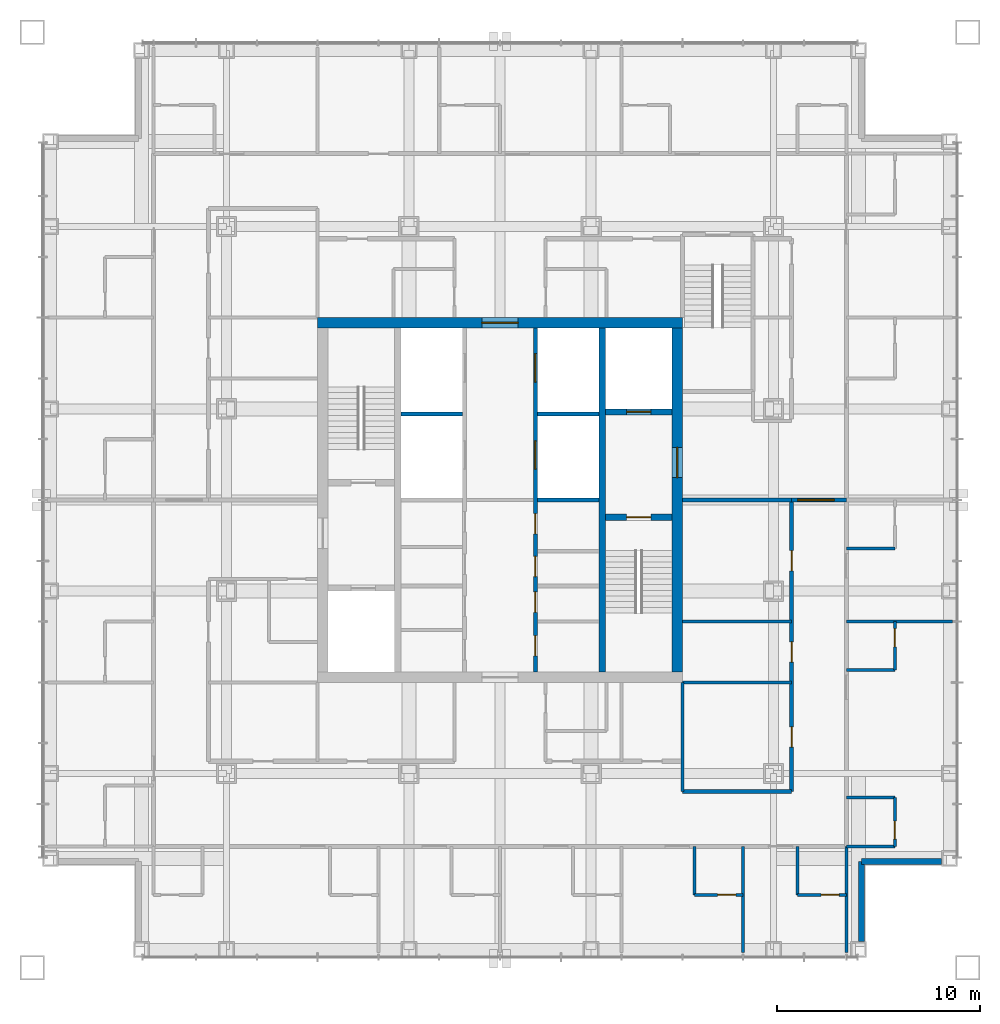
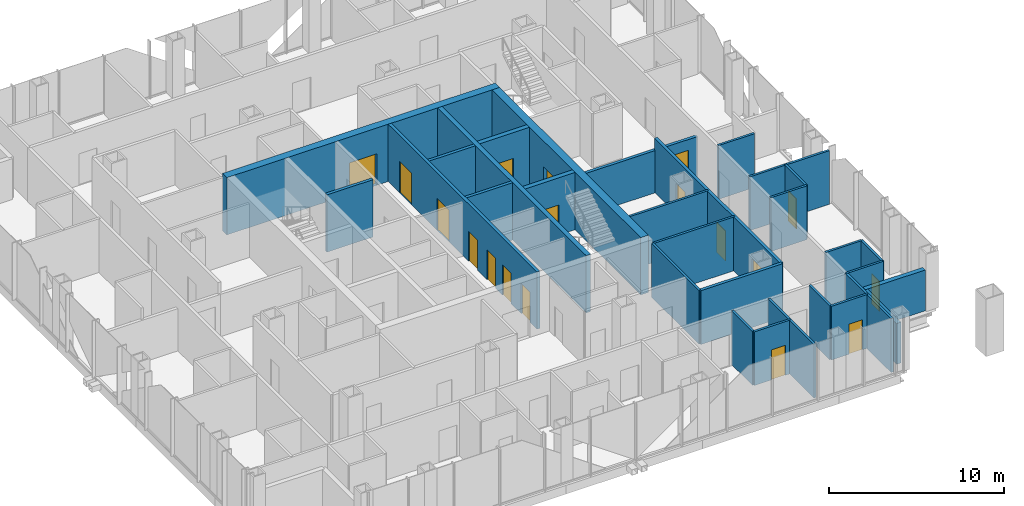
# One storey, part 14 of 17: 31 walls, 18 doors, 18 openings.
"""IFC4 building model written with IfcOpenShell, lengths in metres."""

import ifcopenshell
import ifcopenshell.guid

model = None  # the IFC model being written
_history = None  # IfcOwnerHistory: only IFC2X3 demands one
_inside = {}  # id of a spatial element -> (the spatial element, [elements in it])
_under = {}  # id of a project, library or spatial element -> (it, [spatial elements below it])
_declared = {}  # id of a project -> (the project, [libraries it declares])
_typed = {}  # id of a type object -> (the type object, [elements of that type])
_made_of = {}  # id of a material, layer set ... -> (it, [elements and type objects made of it])


def new_model(schema):
    """Start an empty IFC model of exactly this schema.

    Asked for "IFC4X3", IfcOpenShell would pick the latest addendum, in which some entities
    have other attributes; the version numbers below select the first issue.
    IFC2X3 requires an IfcOwnerHistory on every rooted entity: one is made here for all.
    """
    global model, _history
    if schema == "IFC4X3":
        model = ifcopenshell.file(schema_version=(4, 3, 0, 0))
    else:
        model = ifcopenshell.file(schema=schema)
    _inside.clear()
    _under.clear()
    _declared.clear()
    _typed.clear()
    _made_of.clear()
    _history = None
    if model.schema == "IFC2X3":
        org = make("IfcOrganization", Name="unknown")
        user = make(
            "IfcPersonAndOrganization",
            ThePerson=make("IfcPerson", FamilyName="unknown"),
            TheOrganization=org,
        )
        app = make(
            "IfcApplication",
            ApplicationDeveloper=org,
            Version="unknown",
            ApplicationFullName="unknown",
            ApplicationIdentifier="unknown",
        )
        _history = make(
            "IfcOwnerHistory",
            OwningUser=user,
            OwningApplication=app,
            ChangeAction="ADDED",
            CreationDate=0,
        )
    return model


def make(cls, **values):
    """One entity of the class cls with the attributes given. An attribute that is None is left unset."""
    return model.create_entity(
        cls, **{name: value for name, value in values.items() if value is not None}
    )


def rooted(cls, **values):
    """An entity with a GlobalId (a new one), such as an element, a storey or a relation."""
    return make(cls, GlobalId=ifcopenshell.guid.new(), OwnerHistory=_history, **values)


def si_unit(unit_type, name, prefix=None):
    """IfcSIUnit, for example si_unit("LENGTHUNIT", "METRE", prefix="MILLI")."""
    return make("IfcSIUnit", UnitType=unit_type, Prefix=prefix, Name=name)


def assignment(units):
    """IfcUnitAssignment: the units of a project."""
    return None if units is None else make("IfcUnitAssignment", Units=units)


def point(xyz):
    """IfcCartesianPoint."""
    return None if xyz is None else make("IfcCartesianPoint", Coordinates=xyz)


def direction(xyz):
    """IfcDirection."""
    return None if xyz is None else make("IfcDirection", DirectionRatios=xyz)


def frame(location, z_axis=None, x_axis=None):
    """IfcAxis2Placement3D, a coordinate frame: its origin and axes. An axis left out is left unset."""
    return make(
        "IfcAxis2Placement3D",
        Location=point(location),
        Axis=direction(z_axis),
        RefDirection=direction(x_axis),
    )


def frame_2d(location, x_axis=None):
    """IfcAxis2Placement2D, a coordinate frame in the plane: its origin and x axis."""
    return make(
        "IfcAxis2Placement2D", Location=point(location), RefDirection=direction(x_axis)
    )


def origin():
    """The frame at (0, 0, 0) with its axes left unset."""
    return frame((0.0, 0.0, 0.0))


def place(relative_to, where):
    """IfcLocalPlacement: puts the frame where relative to a parent placement (None: the world)."""
    return make(
        "IfcLocalPlacement", PlacementRelTo=relative_to, RelativePlacement=where
    )


def context(
    kind, dimensions, precision=None, world=None, true_north=None, identifier=None
):
    """IfcGeometricRepresentationContext, for example the 3D "Model" context."""
    return make(
        "IfcGeometricRepresentationContext",
        ContextIdentifier=identifier,
        ContextType=kind,
        CoordinateSpaceDimension=dimensions,
        Precision=precision,
        WorldCoordinateSystem=world,
        TrueNorth=true_north,
    )


def subcontext(parent, identifier, kind, view, scale=None):
    """IfcGeometricRepresentationSubContext, for example "Body" below "Model"."""
    return make(
        "IfcGeometricRepresentationSubContext",
        ContextIdentifier=identifier,
        ContextType=kind,
        ParentContext=parent,
        TargetScale=scale,
        TargetView=view,
    )


def project(units=None, contexts=None):
    """IfcProject with its units and contexts."""
    return rooted(
        "IfcProject",
        Name="project",
        RepresentationContexts=contexts,
        UnitsInContext=assignment(units),
    )


def spatial(cls, under=None, at=None, **own):
    """A site, building, storey or space (cls), placed at a placement, below another one or the project."""
    s = rooted(cls, ObjectPlacement=at, **own)
    if under is not None:
        _under.setdefault(under.id(), (under, []))[1].append(s)
    return s


def profile(cls, at=None, kind="AREA", **sizes):
    """A parametric profile (cls). Its sizes go by their IFC names, for example OverallWidth=200.0."""
    return make(cls, ProfileType=kind, Position=at, **sizes)


def rectangle(**sizes):
    """IfcRectangleProfileDef."""
    return profile("IfcRectangleProfileDef", **sizes)


def extrude(swept, where, along, depth):
    """IfcExtrudedAreaSolid: the profile swept, set in the frame where, extruded along a direction by depth."""
    return make(
        "IfcExtrudedAreaSolid",
        SweptArea=swept,
        Position=where,
        ExtrudedDirection=direction(along),
        Depth=depth,
    )


def shape(context_of_items, identifier, shape_type, items):
    """IfcShapeRepresentation: the items that make up one representation, for example the "Body"."""
    return make(
        "IfcShapeRepresentation",
        ContextOfItems=context_of_items,
        RepresentationIdentifier=identifier,
        RepresentationType=shape_type,
        Items=items,
    )


def material(Name=None, Category=None):
    """IfcMaterial."""
    return make("IfcMaterial", Name=Name, Category=Category)


def layer(
    of_material, thickness, ventilated=None, Name=None, Category=None, Priority=None
):
    """IfcMaterialLayer: one layer of a wall or slab, of a material (None: an air gap)."""
    return make(
        "IfcMaterialLayer",
        Material=of_material,
        LayerThickness=thickness,
        IsVentilated=ventilated,
        Name=Name,
        Category=Category,
        Priority=Priority,
    )


def layer_set(layers, Name=None):
    """IfcMaterialLayerSet."""
    return make("IfcMaterialLayerSet", MaterialLayers=layers, LayerSetName=Name)


def made_of(thing, what):
    """Note that an element or type object is made of a material, layer set ...; save() writes the relation."""
    if what is not None:
        _made_of.setdefault(what.id(), (what, []))[1].append(thing)
    return thing


def type_object(cls, material=None, **own):
    """A type object (cls), such as IfcWallType, which elements share."""
    return made_of(rooted(cls, **own), material)


def element(
    cls,
    number,
    at=None,
    inside=None,
    cuts=None,
    type_object=None,
    material=None,
    context=None,
    identifier="Body",
    shape_type=None,
    held_by="IfcProductDefinitionShape",
    body=None,
    shapes=None,
    **own,
):
    """One element of the class cls, such as IfcWall. Its Tag is "e" and its number.

    at: its placement. inside: the storey or other place that contains it. cuts: it is an
    opening in that element (IfcRelVoidsElement). A single representation is given by context,
    identifier, shape_type and body (its items); several are given by shapes. held_by: the class
    of the entity that holds the representations. save() writes the other relations.
    """
    e = rooted(cls, Tag="e%d" % number, ObjectPlacement=at, **own)
    if body is not None:
        shapes = [shape(context, identifier, shape_type, body)]
    if shapes is not None:
        e.Representation = make(held_by, Representations=shapes)
    if inside is not None:
        _inside.setdefault(inside.id(), (inside, []))[1].append(e)
    if cuts is not None:
        rooted(
            "IfcRelVoidsElement", RelatingBuildingElement=cuts, RelatedOpeningElement=e
        )
    if type_object is not None:
        _typed.setdefault(type_object.id(), (type_object, []))[1].append(e)
    return made_of(e, material)


def fill(opening, filler):
    """IfcRelFillsElement: the door or window that sits in an opening."""
    return rooted(
        "IfcRelFillsElement",
        RelatingOpeningElement=opening,
        RelatedBuildingElement=filler,
    )


def aggregate(whole, parts):
    """IfcRelAggregates: a whole, such as a stair, and the parts it consists of."""
    return rooted("IfcRelAggregates", RelatingObject=whole, RelatedObjects=parts)


def save(model, path):
    """Write the relations noted so far, then the file.

    IfcRelAggregates (storeys below a building ...), IfcRelContainedInSpatialStructure (elements
    in a storey), IfcRelDefinesByType, IfcRelAssociatesMaterial and IfcRelDeclares: one each for
    every whole, place, type object, material and project.
    """
    for whole, parts in _under.values():
        aggregate(whole, parts)
    for where, things in _inside.values():
        rooted(
            "IfcRelContainedInSpatialStructure",
            RelatedElements=things,
            RelatingStructure=where,
        )
    for kind, things in _typed.values():
        rooted("IfcRelDefinesByType", RelatedObjects=things, RelatingType=kind)
    for what, things in _made_of.values():
        rooted("IfcRelAssociatesMaterial", RelatedObjects=things, RelatingMaterial=what)
    for by, libraries in _declared.values():
        rooted("IfcRelDeclares", RelatingContext=by, RelatedDefinitions=libraries)
    model.write(path)


model = new_model("IFC4")

# Units and contexts
model_context = context("Model", 3, precision=1e-05, world=origin(), true_north=direction((0.0, 1.0)))
body_context = subcontext(model_context, "Body", "Model", "MODEL_VIEW")
ifc_project = project(units=[si_unit("LENGTHUNIT", "METRE"), si_unit("AREAUNIT", "SQUARE_METRE"), si_unit("VOLUMEUNIT", "CUBIC_METRE"), si_unit("PLANEANGLEUNIT", "RADIAN"), si_unit("MASSUNIT", "GRAM", prefix="KILO")], contexts=[model_context])

# Site, building, storey
site_placement = place(None, origin())
site = spatial("IfcSite", under=ifc_project, at=site_placement, CompositionType="ELEMENT")
building_placement = place(site_placement, origin())
building = spatial("IfcBuilding", under=site, at=building_placement, Name="Malebo Sky Hospital", CompositionType="ELEMENT")
storey_placement = place(building_placement, frame((0.0, 0.0, 193.0)))
storey = spatial("IfcBuildingStorey", under=building, at=storey_placement, Name="L46", CompositionType="ELEMENT", Elevation=193.0)

# Wall, openings, doors
ifc_material_1 = material(Name="Concrete C80/95", Category="concrete")
ifc_layer_1 = layer(ifc_material_1, 0.199951171875)
ifc_layer_set_1 = layer_set([ifc_layer_1], Name="CORE INNER WALL 200")
wall_type_1 = type_object("IfcWallType", Name="CORE INNER WALL 200", PredefinedType="SHEAR", material=ifc_layer_set_1)
wall_1_placement = place(storey_placement, frame((61.75, 53.5, 0.0), z_axis=(0.0, 0.0, 1.0), x_axis=(0.0, 1.0, 0.0)))
wall_1 = element("IfcWall", 1, at=wall_1_placement, inside=storey, type_object=wall_type_1, Name="Core wall LE L46", PredefinedType="SHEAR", context=body_context, shape_type="SweptSolid", body=[
    extrude(rectangle(XDim=17.0, YDim=0.199951171875, at=frame_2d((8.5, 0.0))), origin(), (0.0, 0.0, 1.0), 4.0),
])
opening_1_placement = place(wall_1_placement, frame((0.8076171875, 0.0, 0.0)))
opening_1 = element("IfcOpeningElement", 2, at=opening_1_placement, cuts=wall_1, Name="Opening D17", PredefinedType="OPENING", context=body_context, shape_type="SweptSolid", body=[
    extrude(rectangle(XDim=1.0, YDim=2.10009765625, at=frame_2d((0.5, 1.050048828125))), frame((0.0, 0.10986328125, 0.0), z_axis=(0.0, -1.0, 0.0), x_axis=(1.0, 0.0, 0.0)), (0.0, 0.0, 1.0), 0.219970703125),
])
opening_2_placement = place(wall_1_placement, frame((2.95751953125, 0.0, 0.0)))
opening_2 = element("IfcOpeningElement", 3, at=opening_2_placement, cuts=wall_1, Name="Opening D17", PredefinedType="OPENING", context=body_context, shape_type="SweptSolid", body=[
    extrude(rectangle(XDim=1.0, YDim=2.10009765625, at=frame_2d((0.5, 1.050048828125))), frame((0.0, 0.10986328125, 0.0), z_axis=(0.0, -1.0, 0.0), x_axis=(1.0, 0.0, 0.0)), (0.0, 0.0, 1.0), 0.219970703125),
])
opening_3_placement = place(wall_1_placement, frame((4.722412109375, 0.0, 0.0)))
opening_3 = element("IfcOpeningElement", 4, at=opening_3_placement, cuts=wall_1, Name="Opening D17", PredefinedType="OPENING", context=body_context, shape_type="SweptSolid", body=[
    extrude(rectangle(XDim=1.0, YDim=2.10009765625, at=frame_2d((0.5, 1.050048828125))), frame((0.0, 0.10986328125, 0.0), z_axis=(0.0, -1.0, 0.0), x_axis=(1.0, 0.0, 0.0)), (0.0, 0.0, 1.0), 0.219970703125),
])
opening_4_placement = place(wall_1_placement, frame((6.822509765625, 0.0, 0.0)))
opening_4 = element("IfcOpeningElement", 5, at=opening_4_placement, cuts=wall_1, Name="Opening D17", PredefinedType="OPENING", context=body_context, shape_type="SweptSolid", body=[
    extrude(rectangle(XDim=1.0, YDim=2.10009765625, at=frame_2d((0.5, 1.050048828125))), frame((0.0, 0.10986328125, 0.0), z_axis=(0.0, -1.0, 0.0), x_axis=(1.0, 0.0, 0.0)), (0.0, 0.0, 1.0), 0.219970703125),
])
opening_5_placement = place(wall_1_placement, frame((10.02490234375, 0.0, 0.0)))
opening_5 = element("IfcOpeningElement", 6, at=opening_5_placement, cuts=wall_1, Name="Opening LD1", PredefinedType="OPENING", context=body_context, shape_type="SweptSolid", body=[
    extrude(rectangle(XDim=1.39990234375, YDim=2.199951171875, at=frame_2d((0.699951171875, 1.10009765625))), frame((0.0, 0.10986328125, 0.0), z_axis=(0.0, -1.0, 0.0), x_axis=(1.0, 0.0, 0.0)), (0.0, 0.0, 1.0), 0.219970703125),
])
opening_6_placement = place(wall_1_placement, frame((14.324951171875, 0.0, 0.0)))
opening_6 = element("IfcOpeningElement", 7, at=opening_6_placement, cuts=wall_1, Name="Opening LD1", PredefinedType="OPENING", context=body_context, shape_type="SweptSolid", body=[
    extrude(rectangle(XDim=1.39990234375, YDim=2.199951171875, at=frame_2d((0.699951171875, 1.10009765625))), frame((0.0, 0.10986328125, 0.0), z_axis=(0.0, -1.0, 0.0), x_axis=(1.0, 0.0, 0.0)), (0.0, 0.0, 1.0), 0.219970703125),
])
ifc_material_2 = material(Name="Hardwood-faced door leaf in steel frame", Category="steel")
door_type_1 = type_object("IfcDoorType", Name="FIRE DOOR 1000", OperationType="SINGLE_SWING_LEFT", PredefinedType="DOOR", material=ifc_material_2)
door_1_placement = place(opening_1_placement, origin())
door_1 = element("IfcDoor", 8, at=door_1_placement, inside=storey, type_object=door_type_1, Name="Equipment store door", OperationType="SINGLE_SWING_RIGHT", OverallHeight=2.10009765625, OverallWidth=1.0, PredefinedType="DOOR", context=body_context, shape_type="SweptSolid", body=[
    extrude(rectangle(XDim=1.0, YDim=2.10009765625, at=frame_2d((0.5, 1.050048828125))), frame((0.0, 0.02490234375, 0.0), z_axis=(0.0, -1.0, 0.0), x_axis=(1.0, 0.0, 0.0)), (0.0, 0.0, 1.0), 0.050048828125),
])
fill(opening_1, door_1)
door_2_placement = place(opening_2_placement, origin())
door_2 = element("IfcDoor", 9, at=door_2_placement, inside=storey, type_object=door_type_1, Name="Linen store door", OperationType="SINGLE_SWING_RIGHT", OverallHeight=2.10009765625, OverallWidth=1.0, PredefinedType="DOOR", context=body_context, shape_type="SweptSolid", body=[
    extrude(rectangle(XDim=1.0, YDim=2.10009765625, at=frame_2d((0.5, 1.050048828125))), frame((0.0, 0.02490234375, 0.0), z_axis=(0.0, -1.0, 0.0), x_axis=(1.0, 0.0, 0.0)), (0.0, 0.0, 1.0), 0.050048828125),
])
fill(opening_2, door_2)
door_3_placement = place(opening_3_placement, origin())
door_3 = element("IfcDoor", 10, at=door_3_placement, inside=storey, type_object=door_type_1, Name="Supplies store door", OperationType="SINGLE_SWING_RIGHT", OverallHeight=2.10009765625, OverallWidth=1.0, PredefinedType="DOOR", context=body_context, shape_type="SweptSolid", body=[
    extrude(rectangle(XDim=1.0, YDim=2.10009765625, at=frame_2d((0.5, 1.050048828125))), frame((0.0, 0.02490234375, 0.0), z_axis=(0.0, -1.0, 0.0), x_axis=(1.0, 0.0, 0.0)), (0.0, 0.0, 1.0), 0.050048828125),
])
fill(opening_3, door_3)
door_4_placement = place(opening_4_placement, origin())
door_4 = element("IfcDoor", 11, at=door_4_placement, inside=storey, type_object=door_type_1, Name="Mattress store door", OperationType="SINGLE_SWING_RIGHT", OverallHeight=2.10009765625, OverallWidth=1.0, PredefinedType="DOOR", context=body_context, shape_type="SweptSolid", body=[
    extrude(rectangle(XDim=1.0, YDim=2.10009765625, at=frame_2d((0.5, 1.050048828125))), frame((0.0, 0.02490234375, 0.0), z_axis=(0.0, -1.0, 0.0), x_axis=(1.0, 0.0, 0.0)), (0.0, 0.0, 1.0), 0.050048828125),
])
fill(opening_4, door_4)
ifc_material_3 = material(Name="Stainless steel sliding landing door", Category="steel")
door_type_2 = type_object("IfcDoorType", Name="LIFT LANDING DOOR 1400", OperationType="SLIDING_TO_LEFT", PredefinedType="DOOR", material=ifc_material_3)
door_5_placement = place(opening_5_placement, origin())
door_5 = element("IfcDoor", 12, at=door_5_placement, inside=storey, type_object=door_type_2, Name="Lift E3 landing door", OperationType="SLIDING_TO_LEFT", OverallHeight=2.199951171875, OverallWidth=1.39990234375, PredefinedType="DOOR", context=body_context, shape_type="SweptSolid", body=[
    extrude(rectangle(XDim=1.39990234375, YDim=2.199951171875, at=frame_2d((0.699951171875, 1.10009765625))), frame((0.0, 0.02490234375, 0.0), z_axis=(0.0, -1.0, 0.0), x_axis=(1.0, 0.0, 0.0)), (0.0, 0.0, 1.0), 0.050048828125),
])
fill(opening_5, door_5)
door_6_placement = place(opening_6_placement, origin())
door_6 = element("IfcDoor", 13, at=door_6_placement, inside=storey, type_object=door_type_2, Name="Lift E4 landing door", OperationType="SLIDING_TO_LEFT", OverallHeight=2.199951171875, OverallWidth=1.39990234375, PredefinedType="DOOR", context=body_context, shape_type="SweptSolid", body=[
    extrude(rectangle(XDim=1.39990234375, YDim=2.199951171875, at=frame_2d((0.699951171875, 1.10009765625))), frame((0.0, 0.02490234375, 0.0), z_axis=(0.0, -1.0, 0.0), x_axis=(1.0, 0.0, 0.0)), (0.0, 0.0, 1.0), 0.050048828125),
])
fill(opening_6, door_6)

# Walls
for number, where, z_axis, x_axis, name in (
    (14, (61.85009765625, 62.0, 0.0), (0.0, 0.0, 1.0), (1.0, 0.0, 0.0), "Core wall SE1 L46"),
    (15, (55.10009765625, 66.25, 0.0), (0.0, 0.0, 1.0), (1.0, 0.0, 0.0), "Core wall SW2 L46"),
    (16, (61.85009765625, 66.25, 0.0), (0.0, 0.0, 1.0), (1.0, 0.0, 0.0), "Core wall SE2 L46"),
):
    element("IfcWall", number, at=place(storey_placement, frame(where, z_axis=z_axis, x_axis=x_axis)), inside=storey, type_object=wall_type_1, Name=name, PredefinedType="SHEAR", context=body_context, shape_type="SweptSolid", body=[
        extrude(rectangle(XDim=3.0498046875, YDim=0.199951171875, at=frame_2d((1.52490234375, 0.0))), origin(), (0.0, 0.0, 1.0), 4.0),
    ])
ifc_layer_2 = layer(ifc_material_1, 0.300048828125)
ifc_layer_set_2 = layer_set([ifc_layer_2], Name="CORE INNER WALL 300")
wall_type_2 = type_object("IfcWallType", Name="CORE INNER WALL 300", PredefinedType="SHEAR", material=ifc_layer_set_2)
wall_2_placement = place(storey_placement, frame((65.050048828125, 53.5, 0.0), z_axis=(0.0, 0.0, 1.0), x_axis=(0.0, 1.0, 0.0)))
element("IfcWall", 17, at=wall_2_placement, inside=storey, type_object=wall_type_2, Name="Core wall XE L46", PredefinedType="SHEAR", context=body_context, shape_type="SweptSolid", body=[
    extrude(rectangle(XDim=17.0, YDim=0.300048828125, at=frame_2d((8.5, 0.0))), origin(), (0.0, 0.0, 1.0), 4.0),
])

# Wall, opening, door
wall_3_placement = place(storey_placement, frame((65.199951171875, 61.14990234375, 0.0), z_axis=(0.0, 0.0, 1.0), x_axis=(1.0, 0.0, 0.0)))
wall_3 = element("IfcWall", 18, at=wall_3_placement, inside=storey, type_object=wall_type_2, Name="Core wall E1 L46", PredefinedType="SHEAR", context=body_context, shape_type="SweptSolid", body=[
    extrude(rectangle(XDim=3.300048828125, YDim=0.300048828125, at=frame_2d((1.64990234375, 0.0))), origin(), (0.0, 0.0, 1.0), 4.0),
])
opening_7_placement = place(wall_3_placement, frame((1.050048828125, 0.0, 0.0)))
opening_7 = element("IfcOpeningElement", 19, at=opening_7_placement, cuts=wall_3, Name="Opening D08", PredefinedType="OPENING", context=body_context, shape_type="SweptSolid", body=[
    extrude(rectangle(XDim=1.199951171875, YDim=2.10009765625, at=frame_2d((0.60009765625, 1.050048828125))), frame((0.0, 0.159912109375, 0.0), z_axis=(0.0, -1.0, 0.0), x_axis=(1.0, 0.0, 0.0)), (0.0, 0.0, 1.0), 0.320068359375),
])
door_type_3 = type_object("IfcDoorType", Name="STAIR DOOR 1200", OperationType="SINGLE_SWING_LEFT", PredefinedType="DOOR", material=ifc_material_2)
door_7_placement = place(opening_7_placement, origin())
door_7 = element("IfcDoor", 20, at=door_7_placement, inside=storey, type_object=door_type_3, Name="Stair S2 door", OperationType="SINGLE_SWING_LEFT", OverallHeight=2.10009765625, OverallWidth=1.199951171875, PredefinedType="DOOR", context=body_context, shape_type="SweptSolid", body=[
    extrude(rectangle(XDim=1.199951171875, YDim=2.10009765625, at=frame_2d((0.60009765625, 1.050048828125))), frame((0.0, 0.02490234375, 0.0), z_axis=(0.0, -1.0, 0.0), x_axis=(1.0, 0.0, 0.0)), (0.0, 0.0, 1.0), 0.050048828125),
])
fill(opening_7, door_7)

wall_4_placement = place(storey_placement, frame((65.199951171875, 66.35009765625, 0.0), z_axis=(0.0, 0.0, 1.0), x_axis=(1.0, 0.0, 0.0)))
wall_4 = element("IfcWall", 21, at=wall_4_placement, inside=storey, type_object=wall_type_2, Name="Core wall E2 L46", PredefinedType="SHEAR", context=body_context, shape_type="SweptSolid", body=[
    extrude(rectangle(XDim=3.300048828125, YDim=0.300048828125, at=frame_2d((1.64990234375, 0.0))), origin(), (0.0, 0.0, 1.0), 4.0),
])
opening_8_placement = place(wall_4_placement, frame((1.050048828125, 0.0, 0.0)))
opening_8 = element("IfcOpeningElement", 22, at=opening_8_placement, cuts=wall_4, Name="Opening LD2", PredefinedType="OPENING", context=body_context, shape_type="SweptSolid", body=[
    extrude(rectangle(XDim=1.199951171875, YDim=2.199951171875, at=frame_2d((0.60009765625, 1.10009765625))), frame((0.0, 0.159912109375, 0.0), z_axis=(0.0, -1.0, 0.0), x_axis=(1.0, 0.0, 0.0)), (0.0, 0.0, 1.0), 0.320068359375),
])
door_type_4 = type_object("IfcDoorType", Name="FIRE-FIGHTING LIFT LANDING DOOR 1200", OperationType="SLIDING_TO_LEFT", PredefinedType="DOOR", material=ifc_material_3)
door_8_placement = place(opening_8_placement, origin())
door_8 = element("IfcDoor", 23, at=door_8_placement, inside=storey, type_object=door_type_4, Name="Lift FL2 landing door", OperationType="SLIDING_TO_LEFT", OverallHeight=2.199951171875, OverallWidth=1.199951171875, PredefinedType="DOOR", context=body_context, shape_type="SweptSolid", body=[
    extrude(rectangle(XDim=1.199951171875, YDim=2.199951171875, at=frame_2d((0.60009765625, 1.10009765625))), frame((0.0, 0.02490234375, 0.0), z_axis=(0.0, -1.0, 0.0), x_axis=(1.0, 0.0, 0.0)), (0.0, 0.0, 1.0), 0.050048828125),
])
fill(opening_8, door_8)

ifc_layer_3 = layer(ifc_material_1, 0.5)
ifc_layer_set_3 = layer_set([ifc_layer_3], Name="CORE WALL 500")
wall_type_3 = type_object("IfcWallType", Name="CORE WALL 500", PredefinedType="SHEAR", material=ifc_layer_set_3)
wall_5_placement = place(storey_placement, frame((51.0, 70.75, 0.0), z_axis=(0.0, 0.0, 1.0), x_axis=(1.0, 0.0, 0.0)))
wall_5 = element("IfcWall", 24, at=wall_5_placement, inside=storey, type_object=wall_type_3, Name="Core wall N L46", PredefinedType="SHEAR", context=body_context, shape_type="SweptSolid", body=[
    extrude(rectangle(XDim=18.0, YDim=0.5, at=frame_2d((9.0, 0.0))), origin(), (0.0, 0.0, 1.0), 4.0),
])
opening_9_placement = place(wall_5_placement, frame((8.10009765625, 0.0, 0.0)))
opening_9 = element("IfcOpeningElement", 25, at=opening_9_placement, cuts=wall_5, Name="Opening D06", PredefinedType="OPENING", context=body_context, shape_type="SweptSolid", body=[
    extrude(rectangle(XDim=1.800048828125, YDim=2.199951171875, at=frame_2d((0.89990234375, 1.10009765625))), frame((0.0, 0.260009765625, 0.0), z_axis=(0.0, -1.0, 0.0), x_axis=(1.0, 0.0, 0.0)), (0.0, 0.0, 1.0), 0.52001953125),
])
door_type_5 = type_object("IfcDoorType", Name="LOBBY DOOR PAIR 1800", OperationType="DOUBLE_DOOR_SINGLE_SWING", PredefinedType="DOOR", material=ifc_material_2)
door_9_placement = place(opening_9_placement, origin())
door_9 = element("IfcDoor", 26, at=door_9_placement, inside=storey, type_object=door_type_5, Name="Lift lobby door north", OperationType="DOUBLE_DOOR_SINGLE_SWING", OverallHeight=2.199951171875, OverallWidth=1.800048828125, PredefinedType="DOOR", context=body_context, shape_type="SweptSolid", body=[
    extrude(rectangle(XDim=1.800048828125, YDim=2.199951171875, at=frame_2d((0.89990234375, 1.10009765625))), frame((0.0, 0.02490234375, 0.0), z_axis=(0.0, -1.0, 0.0), x_axis=(1.0, 0.0, 0.0)), (0.0, 0.0, 1.0), 0.050048828125),
])
fill(opening_9, door_9)

wall_6_placement = place(storey_placement, frame((68.75, 53.5, 0.0), z_axis=(0.0, 0.0, 1.0), x_axis=(0.0, 1.0, 0.0)))
wall_6 = element("IfcWall", 27, at=wall_6_placement, inside=storey, type_object=wall_type_3, Name="Core wall E L46", PredefinedType="SHEAR", context=body_context, shape_type="SweptSolid", body=[
    extrude(rectangle(XDim=17.0, YDim=0.5, at=frame_2d((8.5, 0.0))), origin(), (0.0, 0.0, 1.0), 4.0),
])
opening_10_placement = place(wall_6_placement, frame((9.60009765625, 0.0, 0.0)))
opening_10 = element("IfcOpeningElement", 28, at=opening_10_placement, cuts=wall_6, Name="Opening D07", PredefinedType="OPENING", context=body_context, shape_type="SweptSolid", body=[
    extrude(rectangle(XDim=1.5, YDim=2.199951171875, at=frame_2d((0.75, 1.10009765625))), frame((0.0, 0.260009765625, 0.0), z_axis=(0.0, -1.0, 0.0), x_axis=(1.0, 0.0, 0.0)), (0.0, 0.0, 1.0), 0.52001953125),
])
door_type_6 = type_object("IfcDoorType", Name="FIRE-FIGHTING LOBBY DOOR PAIR 1500", OperationType="DOUBLE_DOOR_SINGLE_SWING", PredefinedType="DOOR", material=ifc_material_2)
door_10_placement = place(opening_10_placement, origin())
door_10 = element("IfcDoor", 29, at=door_10_placement, inside=storey, type_object=door_type_6, Name="Fire-fighting lobby door east", OperationType="DOUBLE_DOOR_SINGLE_SWING", OverallHeight=2.199951171875, OverallWidth=1.5, PredefinedType="DOOR", context=body_context, shape_type="SweptSolid", body=[
    extrude(rectangle(XDim=1.5, YDim=2.199951171875, at=frame_2d((0.75, 1.10009765625))), frame((0.0, 0.02490234375, 0.0), z_axis=(0.0, -1.0, 0.0), x_axis=(1.0, 0.0, 0.0)), (0.0, 0.0, 1.0), 0.050048828125),
])
fill(opening_10, door_10)

# Wall
ifc_material_4 = material(Name="Gypsum board on steel studs", Category="steel")
ifc_layer_4 = layer(ifc_material_4, 0.199951171875)
ifc_layer_set_4 = layer_set([ifc_layer_4], Name="CORRIDOR WALL 200")
wall_type_4 = type_object("IfcWallType", Name="CORRIDOR WALL 200", PredefinedType="PARTITIONING", material=ifc_layer_set_4)
wall_7_placement = place(storey_placement, frame((74.39990234375, 47.60009765625, 0.0), z_axis=(0.0, 0.0, 1.0), x_axis=(-1.0, 0.0, 0.0)))
element("IfcWall", 30, at=wall_7_placement, inside=storey, type_object=wall_type_4, Name="Corridor Wall 200 SCIK", PredefinedType="PARTITIONING", context=body_context, shape_type="SweptSolid", body=[
    extrude(rectangle(XDim=5.39990234375, YDim=0.199951171875, at=frame_2d((2.699951171875, 0.0))), origin(), (0.0, 0.0, 1.0), 3.75),
])

# Wall, openings, doors
wall_8_placement = place(storey_placement, frame((74.39990234375, 62.0, 0.0), z_axis=(0.0, 0.0, 1.0), x_axis=(0.0, -1.0, 0.0)))
wall_8 = element("IfcWall", 31, at=wall_8_placement, inside=storey, type_object=wall_type_4, Name="Corridor Wall 200 ECI2", PredefinedType="PARTITIONING", context=body_context, shape_type="SweptSolid", body=[
    extrude(rectangle(XDim=14.39990234375, YDim=0.199951171875, at=frame_2d((7.199951171875, 0.0))), origin(), (0.0, 0.0, 1.0), 3.75),
])
opening_11_placement = place(wall_8_placement, frame((2.5, 0.0, 0.0)))
opening_11 = element("IfcOpeningElement", 32, at=opening_11_placement, cuts=wall_8, Name="Opening D03", PredefinedType="OPENING", context=body_context, shape_type="SweptSolid", body=[
    extrude(rectangle(XDim=1.0, YDim=2.10009765625, at=frame_2d((0.5, 1.050048828125))), frame((0.0, 0.10986328125, 0.0), z_axis=(0.0, -1.0, 0.0), x_axis=(1.0, 0.0, 0.0)), (0.0, 0.0, 1.0), 0.219970703125),
])
opening_12_placement = place(wall_8_placement, frame((7.0, 0.0, 0.0)))
opening_12 = element("IfcOpeningElement", 33, at=opening_12_placement, cuts=wall_8, Name="Opening D03", PredefinedType="OPENING", context=body_context, shape_type="SweptSolid", body=[
    extrude(rectangle(XDim=1.0, YDim=2.10009765625, at=frame_2d((0.5, 1.050048828125))), frame((0.0, 0.10986328125, 0.0), z_axis=(0.0, -1.0, 0.0), x_axis=(1.0, 0.0, 0.0)), (0.0, 0.0, 1.0), 0.219970703125),
])
opening_13_placement = place(wall_8_placement, frame((11.199951171875, 0.0, 0.0)))
opening_13 = element("IfcOpeningElement", 34, at=opening_13_placement, cuts=wall_8, Name="Opening D03", PredefinedType="OPENING", context=body_context, shape_type="SweptSolid", body=[
    extrude(rectangle(XDim=1.0, YDim=2.10009765625, at=frame_2d((0.5, 1.050048828125))), frame((0.0, 0.10986328125, 0.0), z_axis=(0.0, -1.0, 0.0), x_axis=(1.0, 0.0, 0.0)), (0.0, 0.0, 1.0), 0.219970703125),
])
door_type_7 = type_object("IfcDoorType", Name="ROOM DOOR 1000", OperationType="SINGLE_SWING_LEFT", PredefinedType="DOOR", material=ifc_material_2)
door_11_placement = place(opening_11_placement, origin())
door_11 = element("IfcDoor", 35, at=door_11_placement, inside=storey, type_object=door_type_7, Name="Treatment room door", OperationType="SINGLE_SWING_LEFT", OverallHeight=2.10009765625, OverallWidth=1.0, PredefinedType="DOOR", context=body_context, shape_type="SweptSolid", body=[
    extrude(rectangle(XDim=1.0, YDim=2.10009765625, at=frame_2d((0.5, 1.050048828125))), frame((0.0, 0.02490234375, 0.0), z_axis=(0.0, -1.0, 0.0), x_axis=(1.0, 0.0, 0.0)), (0.0, 0.0, 1.0), 0.050048828125),
])
fill(opening_11, door_11)
door_12_placement = place(opening_12_placement, origin())
door_12 = element("IfcDoor", 36, at=door_12_placement, inside=storey, type_object=door_type_7, Name="Medication room door", OperationType="SINGLE_SWING_LEFT", OverallHeight=2.10009765625, OverallWidth=1.0, PredefinedType="DOOR", context=body_context, shape_type="SweptSolid", body=[
    extrude(rectangle(XDim=1.0, YDim=2.10009765625, at=frame_2d((0.5, 1.050048828125))), frame((0.0, 0.02490234375, 0.0), z_axis=(0.0, -1.0, 0.0), x_axis=(1.0, 0.0, 0.0)), (0.0, 0.0, 1.0), 0.050048828125),
])
fill(opening_12, door_12)
door_13_placement = place(opening_13_placement, origin())
door_13 = element("IfcDoor", 37, at=door_13_placement, inside=storey, type_object=door_type_7, Name="Ward pantry door", OperationType="SINGLE_SWING_RIGHT", OverallHeight=2.10009765625, OverallWidth=1.0, PredefinedType="DOOR", context=body_context, shape_type="SweptSolid", body=[
    extrude(rectangle(XDim=1.0, YDim=2.10009765625, at=frame_2d((0.5, 1.050048828125))), frame((0.0, 0.02490234375, 0.0), z_axis=(0.0, -1.0, 0.0), x_axis=(1.0, 0.0, 0.0)), (0.0, 0.0, 1.0), 0.050048828125),
])
fill(opening_13, door_13)

# Walls
ifc_material_5 = material(Name="Anodised aluminium rainscreen on steel framing", Category="steel")
ifc_layer_5 = layer(ifc_material_5, 0.300048828125)
ifc_layer_set_5 = layer_set([ifc_layer_5], Name="NOTCH RAINSCREEN WALL 300")
wall_type_5 = type_object("IfcWallType", Name="NOTCH RAINSCREEN WALL 300", PredefinedType="ELEMENTEDWALL", material=ifc_layer_set_5)
for number, where, z_axis, x_axis, name in (
    (38, (81.800048828125, 44.14990234375, 0.0), (0.0, 0.0, 1.0), (-1.0, 0.0, 0.0), "Notch rainscreen wall E1 L46"),
    (39, (77.85009765625, 44.14990234375, 0.0), (0.0, 0.0, 1.0), (0.0, -1.0, 0.0), "Notch rainscreen wall E2 L46"),
):
    element("IfcWall", number, at=place(storey_placement, frame(where, z_axis=z_axis, x_axis=x_axis)), inside=storey, type_object=wall_type_5, Name=name, PredefinedType="ELEMENTEDWALL", context=body_context, shape_type="SweptSolid", body=[
        extrude(rectangle(XDim=3.949951171875, YDim=0.300048828125, at=frame_2d((1.97509765625, 0.0))), origin(), (0.0, 0.0, 1.0), 2.85009765625),
    ])
ifc_layer_6 = layer(ifc_material_4, 0.14990234375)
ifc_layer_set_6 = layer_set([ifc_layer_6], Name="PARTITION 150")
wall_type_6 = type_object("IfcWallType", Name="PARTITION 150", PredefinedType="PARTITIONING", material=ifc_layer_set_6)
for number, where, z_axis, x_axis, name in (
    (40, (72.0, 44.89990234375, 0.0), (0.0, 0.0, 1.0), (0.0, -1.0, 0.0), "Partition 150 SP-12.0"),
    (41, (77.10009765625, 44.89990234375, 0.0), (0.0, 0.0, 1.0), (0.0, -1.0, 0.0), "Partition 150 SP0"),
):
    element("IfcWall", number, at=place(storey_placement, frame(where, z_axis=z_axis, x_axis=x_axis)), inside=storey, type_object=wall_type_6, Name=name, PredefinedType="PARTITIONING", context=body_context, shape_type="SweptSolid", body=[
        extrude(rectangle(XDim=5.25, YDim=0.14990234375, at=frame_2d((2.625, 0.0))), origin(), (0.0, 0.0, 1.0), 3.75),
    ])

# Wall, opening, door
wall_9_placement = place(storey_placement, frame((77.10009765625, 42.5, 0.0), z_axis=(0.0, 0.0, 1.0), x_axis=(-1.0, 0.0, 0.0)))
wall_9 = element("IfcWall", 42, at=wall_9_placement, inside=storey, type_object=wall_type_6, Name="Partition 150 SE0F", PredefinedType="PARTITIONING", context=body_context, shape_type="SweptSolid", body=[
    extrude(rectangle(XDim=2.400146484375, YDim=0.14990234375, at=frame_2d((1.2001953125, 0.0))), origin(), (0.0, 0.0, 1.0), 3.75),
])
opening_14_placement = place(wall_9_placement, frame((0.35009765625, 0.0, 0.0)))
opening_14 = element("IfcOpeningElement", 43, at=opening_14_placement, cuts=wall_9, Name="Opening D02", PredefinedType="OPENING", context=body_context, shape_type="SweptSolid", body=[
    extrude(rectangle(XDim=0.89990234375, YDim=2.10009765625, at=frame_2d((0.449951171875, 1.050048828125))), frame((0.0, 0.0849609375, 0.0), z_axis=(0.0, -1.0, 0.0), x_axis=(1.0, 0.0, 0.0)), (0.0, 0.0, 1.0), 0.169921875),
])
door_type_8 = type_object("IfcDoorType", Name="EN-SUITE DOOR 900", OperationType="SINGLE_SWING_LEFT", PredefinedType="DOOR", material=ifc_material_2)
door_14_placement = place(opening_14_placement, origin())
door_14 = element("IfcDoor", 44, at=door_14_placement, inside=storey, type_object=door_type_8, Name="En-suite door", OperationType="SINGLE_SWING_LEFT", OverallHeight=2.10009765625, OverallWidth=0.89990234375, PredefinedType="DOOR", context=body_context, shape_type="SweptSolid", body=[
    extrude(rectangle(XDim=0.89990234375, YDim=2.10009765625, at=frame_2d((0.449951171875, 1.050048828125))), frame((0.0, 0.02490234375, 0.0), z_axis=(0.0, -1.0, 0.0), x_axis=(1.0, 0.0, 0.0)), (0.0, 0.0, 1.0), 0.050048828125),
])
fill(opening_14, door_14)

# Wall
wall_10_placement = place(storey_placement, frame((74.699951171875, 44.89990234375, 0.0), z_axis=(0.0, 0.0, 1.0), x_axis=(0.0, -1.0, 0.0)))
element("IfcWall", 45, at=wall_10_placement, inside=storey, type_object=wall_type_6, Name="Partition 150 SE0S", PredefinedType="PARTITIONING", context=body_context, shape_type="SweptSolid", body=[
    extrude(rectangle(XDim=2.39990234375, YDim=0.14990234375, at=frame_2d((1.199951171875, 0.0))), origin(), (0.0, 0.0, 1.0), 3.75),
])

# Wall, opening, door
wall_11_placement = place(storey_placement, frame((72.0, 42.5, 0.0), z_axis=(0.0, 0.0, 1.0), x_axis=(-1.0, 0.0, 0.0)))
wall_11 = element("IfcWall", 46, at=wall_11_placement, inside=storey, type_object=wall_type_6, Name="Partition 150 SE1F", PredefinedType="PARTITIONING", context=body_context, shape_type="SweptSolid", body=[
    extrude(rectangle(XDim=2.39990234375, YDim=0.14990234375, at=frame_2d((1.199951171875, 0.0))), origin(), (0.0, 0.0, 1.0), 3.75),
])
opening_15_placement = place(wall_11_placement, frame((0.35009765625, 0.0, 0.0)))
opening_15 = element("IfcOpeningElement", 47, at=opening_15_placement, cuts=wall_11, Name="Opening D02", PredefinedType="OPENING", context=body_context, shape_type="SweptSolid", body=[
    extrude(rectangle(XDim=0.89990234375, YDim=2.10009765625, at=frame_2d((0.449951171875, 1.050048828125))), frame((0.0, 0.0849609375, 0.0), z_axis=(0.0, -1.0, 0.0), x_axis=(1.0, 0.0, 0.0)), (0.0, 0.0, 1.0), 0.169921875),
])
door_15_placement = place(opening_15_placement, origin())
door_15 = element("IfcDoor", 48, at=door_15_placement, inside=storey, type_object=door_type_8, Name="En-suite door", OperationType="SINGLE_SWING_LEFT", OverallHeight=2.10009765625, OverallWidth=0.89990234375, PredefinedType="DOOR", context=body_context, shape_type="SweptSolid", body=[
    extrude(rectangle(XDim=0.89990234375, YDim=2.10009765625, at=frame_2d((0.449951171875, 1.050048828125))), frame((0.0, 0.02490234375, 0.0), z_axis=(0.0, -1.0, 0.0), x_axis=(1.0, 0.0, 0.0)), (0.0, 0.0, 1.0), 0.050048828125),
])
fill(opening_15, door_15)

# Walls
wall_12_placement = place(storey_placement, frame((69.60009765625, 44.89990234375, 0.0), z_axis=(0.0, 0.0, 1.0), x_axis=(0.0, -1.0, 0.0)))
element("IfcWall", 49, at=wall_12_placement, inside=storey, type_object=wall_type_6, Name="Partition 150 SE1S", PredefinedType="PARTITIONING", context=body_context, shape_type="SweptSolid", body=[
    extrude(rectangle(XDim=2.39990234375, YDim=0.14990234375, at=frame_2d((1.199951171875, 0.0))), origin(), (0.0, 0.0, 1.0), 3.75),
])
wall_13_placement = place(storey_placement, frame((69.0, 53.0, 0.0), z_axis=(0.0, 0.0, 1.0), x_axis=(0.0, -1.0, 0.0)))
element("IfcWall", 50, at=wall_13_placement, inside=storey, type_object=wall_type_6, Name="Partition 150 SSP0", PredefinedType="PARTITIONING", context=body_context, shape_type="SweptSolid", body=[
    extrude(rectangle(XDim=5.39990234375, YDim=0.14990234375, at=frame_2d((2.699951171875, 0.0))), origin(), (0.0, 0.0, 1.0), 3.75),
])
wall_14_placement = place(storey_placement, frame((77.10009765625, 56.0, 0.0), z_axis=(0.0, 0.0, 1.0), x_axis=(1.0, 0.0, 0.0)))
element("IfcWall", 51, at=wall_14_placement, inside=storey, type_object=wall_type_6, Name="Partition 150 EP+6.0", PredefinedType="PARTITIONING", context=body_context, shape_type="SweptSolid", body=[
    extrude(rectangle(XDim=5.25, YDim=0.14990234375, at=frame_2d((2.625, 0.0))), origin(), (0.0, 0.0, 1.0), 3.75),
])
wall_15_placement = place(storey_placement, frame((77.10009765625, 59.60009765625, 0.0), z_axis=(0.0, 0.0, 1.0), x_axis=(1.0, 0.0, 0.0)))
element("IfcWall", 52, at=wall_15_placement, inside=storey, type_object=wall_type_6, Name="Partition 150 EE2S", PredefinedType="PARTITIONING", context=body_context, shape_type="SweptSolid", body=[
    extrude(rectangle(XDim=2.39990234375, YDim=0.14990234375, at=frame_2d((1.199951171875, 0.0))), origin(), (0.0, 0.0, 1.0), 3.75),
])

# Wall, opening, door
wall_16_placement = place(storey_placement, frame((79.5, 56.0, 0.0), z_axis=(0.0, 0.0, 1.0), x_axis=(0.0, -1.0, 0.0)))
wall_16 = element("IfcWall", 53, at=wall_16_placement, inside=storey, type_object=wall_type_6, Name="Partition 150 EE3F", PredefinedType="PARTITIONING", context=body_context, shape_type="SweptSolid", body=[
    extrude(rectangle(XDim=2.39990234375, YDim=0.14990234375, at=frame_2d((1.199951171875, 0.0))), origin(), (0.0, 0.0, 1.0), 3.75),
])
opening_16_placement = place(wall_16_placement, frame((0.35009765625, 0.0, 0.0)))
opening_16 = element("IfcOpeningElement", 54, at=opening_16_placement, cuts=wall_16, Name="Opening D02", PredefinedType="OPENING", context=body_context, shape_type="SweptSolid", body=[
    extrude(rectangle(XDim=0.89990234375, YDim=2.10009765625, at=frame_2d((0.449951171875, 1.050048828125))), frame((0.0, 0.0849609375, 0.0), z_axis=(0.0, -1.0, 0.0), x_axis=(1.0, 0.0, 0.0)), (0.0, 0.0, 1.0), 0.169921875),
])
door_16_placement = place(opening_16_placement, origin())
door_16 = element("IfcDoor", 55, at=door_16_placement, inside=storey, type_object=door_type_8, Name="En-suite door", OperationType="SINGLE_SWING_LEFT", OverallHeight=2.10009765625, OverallWidth=0.89990234375, PredefinedType="DOOR", context=body_context, shape_type="SweptSolid", body=[
    extrude(rectangle(XDim=0.89990234375, YDim=2.10009765625, at=frame_2d((0.449951171875, 1.050048828125))), frame((0.0, 0.02490234375, 0.0), z_axis=(0.0, -1.0, 0.0), x_axis=(1.0, 0.0, 0.0)), (0.0, 0.0, 1.0), 0.050048828125),
])
fill(opening_16, door_16)

# Wall
wall_17_placement = place(storey_placement, frame((77.10009765625, 53.60009765625, 0.0), z_axis=(0.0, 0.0, 1.0), x_axis=(1.0, 0.0, 0.0)))
element("IfcWall", 56, at=wall_17_placement, inside=storey, type_object=wall_type_6, Name="Partition 150 EE3S", PredefinedType="PARTITIONING", context=body_context, shape_type="SweptSolid", body=[
    extrude(rectangle(XDim=2.39990234375, YDim=0.14990234375, at=frame_2d((1.199951171875, 0.0))), origin(), (0.0, 0.0, 1.0), 3.75),
])

# Wall, opening, door
wall_18_placement = place(storey_placement, frame((79.5, 47.300048828125, 0.0), z_axis=(0.0, 0.0, 1.0), x_axis=(0.0, -1.0, 0.0)))
wall_18 = element("IfcWall", 57, at=wall_18_placement, inside=storey, type_object=wall_type_6, Name="Partition 150 EG3F", PredefinedType="PARTITIONING", context=body_context, shape_type="SweptSolid", body=[
    extrude(rectangle(XDim=2.400146484375, YDim=0.14990234375, at=frame_2d((1.2001953125, 0.0))), origin(), (0.0, 0.0, 1.0), 3.75),
])
opening_17_placement = place(wall_18_placement, frame((1.14990234375, 0.0, 0.0)))
opening_17 = element("IfcOpeningElement", 58, at=opening_17_placement, cuts=wall_18, Name="Opening D02", PredefinedType="OPENING", context=body_context, shape_type="SweptSolid", body=[
    extrude(rectangle(XDim=0.89990234375, YDim=2.10009765625, at=frame_2d((0.449951171875, 1.050048828125))), frame((0.0, 0.0849609375, 0.0), z_axis=(0.0, -1.0, 0.0), x_axis=(1.0, 0.0, 0.0)), (0.0, 0.0, 1.0), 0.169921875),
])
door_17_placement = place(opening_17_placement, origin())
door_17 = element("IfcDoor", 59, at=door_17_placement, inside=storey, type_object=door_type_8, Name="En-suite door", OperationType="SINGLE_SWING_RIGHT", OverallHeight=2.10009765625, OverallWidth=0.89990234375, PredefinedType="DOOR", context=body_context, shape_type="SweptSolid", body=[
    extrude(rectangle(XDim=0.89990234375, YDim=2.10009765625, at=frame_2d((0.449951171875, 1.050048828125))), frame((0.0, 0.02490234375, 0.0), z_axis=(0.0, -1.0, 0.0), x_axis=(1.0, 0.0, 0.0)), (0.0, 0.0, 1.0), 0.050048828125),
])
fill(opening_17, door_17)

# Walls
for number, where, z_axis, x_axis, name in (
    (60, (77.10009765625, 47.300048828125, 0.0), (0.0, 0.0, 1.0), (1.0, 0.0, 0.0), "Partition 150 EG3S"),
    (61, (77.10009765625, 44.89990234375, 0.0), (0.0, 0.0, 1.0), (1.0, 0.0, 0.0), "Partition 150 EEZ"),
):
    element("IfcWall", number, at=place(storey_placement, frame(where, z_axis=z_axis, x_axis=x_axis)), inside=storey, type_object=wall_type_6, Name=name, PredefinedType="PARTITIONING", context=body_context, shape_type="SweptSolid", body=[
        extrude(rectangle(XDim=2.39990234375, YDim=0.14990234375, at=frame_2d((1.199951171875, 0.0))), origin(), (0.0, 0.0, 1.0), 3.75),
    ])
for number, where, z_axis, x_axis, name in (
    (62, (69.0, 56.0, 0.0), (0.0, 0.0, 1.0), (1.0, 0.0, 0.0), "Partition 150 ESP+6.0"),
    (63, (69.0, 53.0, 0.0), (0.0, 0.0, 1.0), (1.0, 0.0, 0.0), "Partition 150 ESP+9.0"),
):
    element("IfcWall", number, at=place(storey_placement, frame(where, z_axis=z_axis, x_axis=x_axis)), inside=storey, type_object=wall_type_6, Name=name, PredefinedType="PARTITIONING", context=body_context, shape_type="SweptSolid", body=[
        extrude(rectangle(XDim=5.39990234375, YDim=0.14990234375, at=frame_2d((2.699951171875, 0.0))), origin(), (0.0, 0.0, 1.0), 3.75),
    ])
ifc_material_6 = material(Name="Concrete blockwork", Category="masonry")
ifc_layer_7 = layer(ifc_material_6, 0.199951171875)
ifc_layer_set_7 = layer_set([ifc_layer_7], Name="SMOKE BARRIER WALL 200")
wall_type_7 = type_object("IfcWallType", Name="SMOKE BARRIER WALL 200", PredefinedType="SOLIDWALL", material=ifc_layer_set_7)
wall_19_placement = place(storey_placement, frame((69.0, 62.0, 0.0), z_axis=(0.0, 0.0, 1.0), x_axis=(1.0, 0.0, 0.0)))
element("IfcWall", 64, at=wall_19_placement, inside=storey, type_object=wall_type_7, Name="Smoke Barrier Wall 200 ESPB", PredefinedType="SOLIDWALL", context=body_context, shape_type="SweptSolid", body=[
    extrude(rectangle(XDim=5.39990234375, YDim=0.199951171875, at=frame_2d((2.699951171875, 0.0))), origin(), (0.0, 0.0, 1.0), 2.949951171875),
])

# Wall, opening, door
wall_20_placement = place(storey_placement, frame((74.39990234375, 62.0, 0.0), z_axis=(0.0, 0.0, 1.0), x_axis=(1.0, 0.0, 0.0)))
wall_20 = element("IfcWall", 65, at=wall_20_placement, inside=storey, type_object=wall_type_7, Name="Smoke Barrier Wall 200 ESB", PredefinedType="SOLIDWALL", context=body_context, shape_type="SweptSolid", body=[
    extrude(rectangle(XDim=2.7001953125, YDim=0.199951171875, at=frame_2d((1.35009765625, 0.0))), origin(), (0.0, 0.0, 1.0), 2.949951171875),
])
opening_18_placement = place(wall_20_placement, frame((0.300048828125, 0.0, 0.0)))
opening_18 = element("IfcOpeningElement", 66, at=opening_18_placement, cuts=wall_20, Name="Opening D05", PredefinedType="OPENING", context=body_context, shape_type="SweptSolid", body=[
    extrude(rectangle(XDim=1.800048828125, YDim=2.199951171875, at=frame_2d((0.89990234375, 1.10009765625))), frame((0.0, 0.10986328125, 0.0), z_axis=(0.0, -1.0, 0.0), x_axis=(1.0, 0.0, 0.0)), (0.0, 0.0, 1.0), 0.219970703125),
])
door_type_9 = type_object("IfcDoorType", Name="SMOKE DOOR PAIR 1800", OperationType="DOUBLE_DOOR_DOUBLE_SWING", PredefinedType="DOOR", material=ifc_material_2)
door_18_placement = place(opening_18_placement, origin())
door_18 = element("IfcDoor", 67, at=door_18_placement, inside=storey, type_object=door_type_9, Name="Smoke compartment door pair", OperationType="DOUBLE_DOOR_DOUBLE_SWING", OverallHeight=2.199951171875, OverallWidth=1.800048828125, PredefinedType="DOOR", context=body_context, shape_type="SweptSolid", body=[
    extrude(rectangle(XDim=1.800048828125, YDim=2.199951171875, at=frame_2d((0.89990234375, 1.10009765625))), frame((0.0, 0.02490234375, 0.0), z_axis=(0.0, -1.0, 0.0), x_axis=(1.0, 0.0, 0.0)), (0.0, 0.0, 1.0), 0.050048828125),
])
fill(opening_18, door_18)

save(model, "model.ifc")
